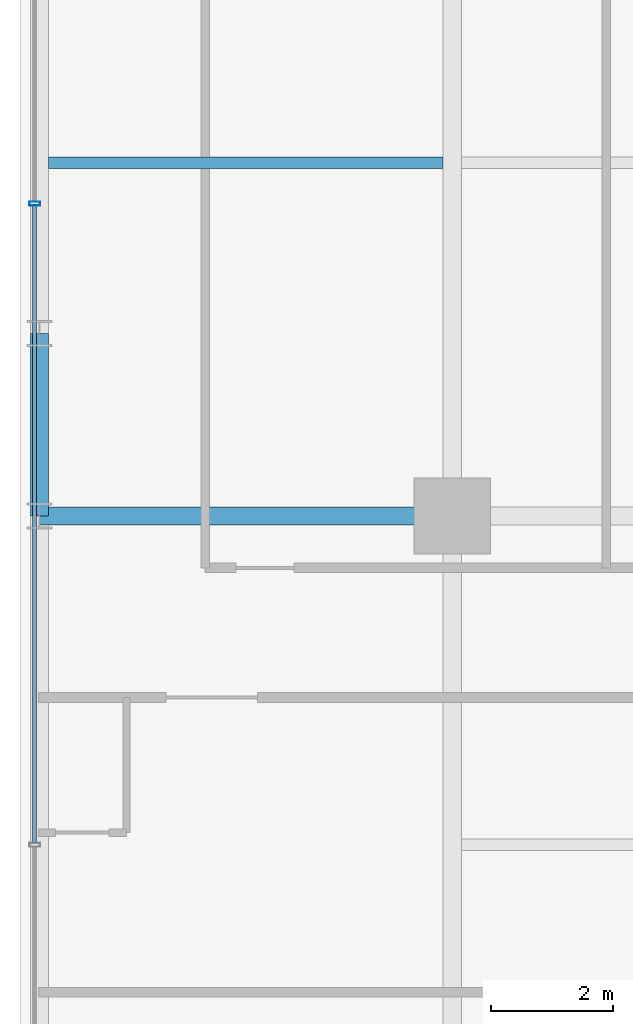
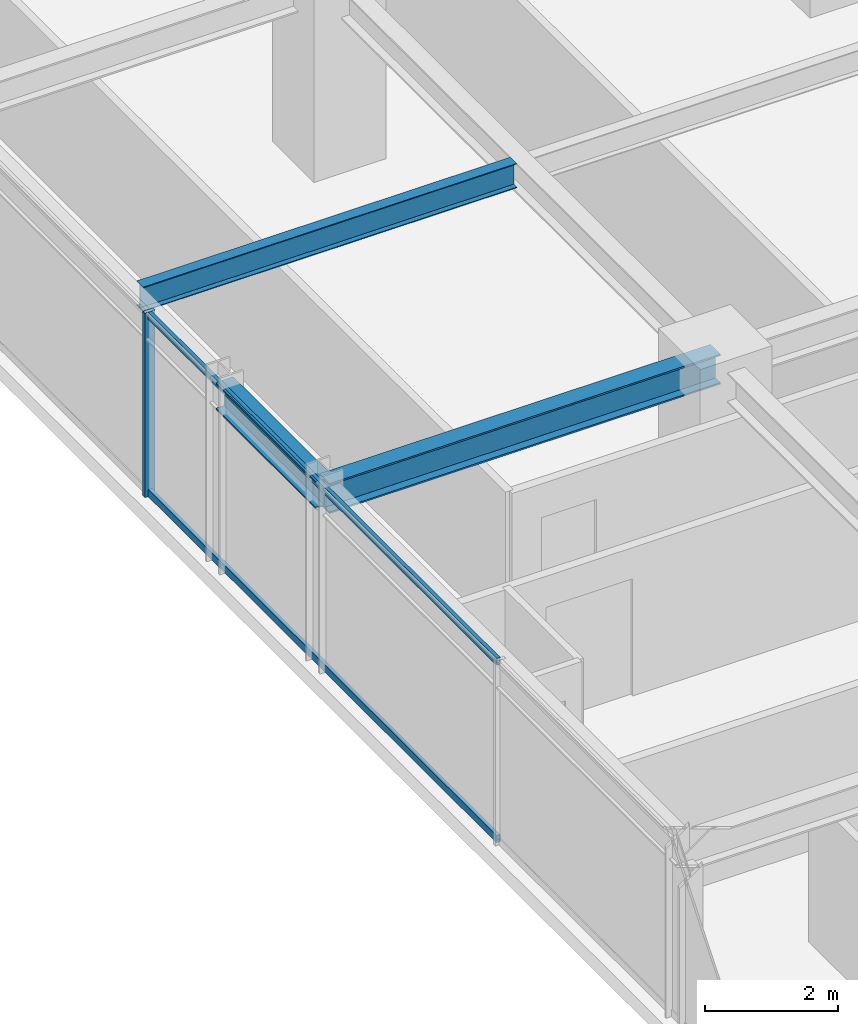
# One storey, part 17 of 33: 3 beams, 3 members, 1 element without a shape of its own.
"""IFC4 building model written with IfcOpenShell, lengths in metres."""

import ifcopenshell
import ifcopenshell.guid

model = None  # the IFC model being written
_history = None  # IfcOwnerHistory: only IFC2X3 demands one
_inside = {}  # id of a spatial element -> (the spatial element, [elements in it])
_under = {}  # id of a project, library or spatial element -> (it, [spatial elements below it])
_declared = {}  # id of a project -> (the project, [libraries it declares])
_typed = {}  # id of a type object -> (the type object, [elements of that type])
_made_of = {}  # id of a material, layer set ... -> (it, [elements and type objects made of it])


def new_model(schema):
    """Start an empty IFC model of exactly this schema.

    Asked for "IFC4X3", IfcOpenShell would pick the latest addendum, in which some entities
    have other attributes; the version numbers below select the first issue.
    IFC2X3 requires an IfcOwnerHistory on every rooted entity: one is made here for all.
    """
    global model, _history
    if schema == "IFC4X3":
        model = ifcopenshell.file(schema_version=(4, 3, 0, 0))
    else:
        model = ifcopenshell.file(schema=schema)
    _inside.clear()
    _under.clear()
    _declared.clear()
    _typed.clear()
    _made_of.clear()
    _history = None
    if model.schema == "IFC2X3":
        org = make("IfcOrganization", Name="unknown")
        user = make(
            "IfcPersonAndOrganization",
            ThePerson=make("IfcPerson", FamilyName="unknown"),
            TheOrganization=org,
        )
        app = make(
            "IfcApplication",
            ApplicationDeveloper=org,
            Version="unknown",
            ApplicationFullName="unknown",
            ApplicationIdentifier="unknown",
        )
        _history = make(
            "IfcOwnerHistory",
            OwningUser=user,
            OwningApplication=app,
            ChangeAction="ADDED",
            CreationDate=0,
        )
    return model


def make(cls, **values):
    """One entity of the class cls with the attributes given. An attribute that is None is left unset."""
    return model.create_entity(
        cls, **{name: value for name, value in values.items() if value is not None}
    )


def rooted(cls, **values):
    """An entity with a GlobalId (a new one), such as an element, a storey or a relation."""
    return make(cls, GlobalId=ifcopenshell.guid.new(), OwnerHistory=_history, **values)


def si_unit(unit_type, name, prefix=None):
    """IfcSIUnit, for example si_unit("LENGTHUNIT", "METRE", prefix="MILLI")."""
    return make("IfcSIUnit", UnitType=unit_type, Prefix=prefix, Name=name)


def assignment(units):
    """IfcUnitAssignment: the units of a project."""
    return None if units is None else make("IfcUnitAssignment", Units=units)


def point(xyz):
    """IfcCartesianPoint."""
    return None if xyz is None else make("IfcCartesianPoint", Coordinates=xyz)


def direction(xyz):
    """IfcDirection."""
    return None if xyz is None else make("IfcDirection", DirectionRatios=xyz)


def frame(location, z_axis=None, x_axis=None):
    """IfcAxis2Placement3D, a coordinate frame: its origin and axes. An axis left out is left unset."""
    return make(
        "IfcAxis2Placement3D",
        Location=point(location),
        Axis=direction(z_axis),
        RefDirection=direction(x_axis),
    )


def frame_2d(location, x_axis=None):
    """IfcAxis2Placement2D, a coordinate frame in the plane: its origin and x axis."""
    return make(
        "IfcAxis2Placement2D", Location=point(location), RefDirection=direction(x_axis)
    )


def origin():
    """The frame at (0, 0, 0) with its axes left unset."""
    return frame((0.0, 0.0, 0.0))


def origin_2d():
    """The frame at (0, 0) in the plane with its x axis left unset."""
    return frame_2d((0.0, 0.0))


def place(relative_to, where):
    """IfcLocalPlacement: puts the frame where relative to a parent placement (None: the world)."""
    return make(
        "IfcLocalPlacement", PlacementRelTo=relative_to, RelativePlacement=where
    )


def context(
    kind, dimensions, precision=None, world=None, true_north=None, identifier=None
):
    """IfcGeometricRepresentationContext, for example the 3D "Model" context."""
    return make(
        "IfcGeometricRepresentationContext",
        ContextIdentifier=identifier,
        ContextType=kind,
        CoordinateSpaceDimension=dimensions,
        Precision=precision,
        WorldCoordinateSystem=world,
        TrueNorth=true_north,
    )


def subcontext(parent, identifier, kind, view, scale=None):
    """IfcGeometricRepresentationSubContext, for example "Body" below "Model"."""
    return make(
        "IfcGeometricRepresentationSubContext",
        ContextIdentifier=identifier,
        ContextType=kind,
        ParentContext=parent,
        TargetScale=scale,
        TargetView=view,
    )


def project(units=None, contexts=None):
    """IfcProject with its units and contexts."""
    return rooted(
        "IfcProject",
        Name="project",
        RepresentationContexts=contexts,
        UnitsInContext=assignment(units),
    )


def spatial(cls, under=None, at=None, **own):
    """A site, building, storey or space (cls), placed at a placement, below another one or the project."""
    s = rooted(cls, ObjectPlacement=at, **own)
    if under is not None:
        _under.setdefault(under.id(), (under, []))[1].append(s)
    return s


def profile(cls, at=None, kind="AREA", **sizes):
    """A parametric profile (cls). Its sizes go by their IFC names, for example OverallWidth=200.0."""
    return make(cls, ProfileType=kind, Position=at, **sizes)


def hollow_rectangle(**sizes):
    """IfcRectangleHollowProfileDef."""
    return profile("IfcRectangleHollowProfileDef", **sizes)


def i_section(**sizes):
    """IfcIShapeProfileDef."""
    return profile("IfcIShapeProfileDef", **sizes)


def extrude(swept, where, along, depth):
    """IfcExtrudedAreaSolid: the profile swept, set in the frame where, extruded along a direction by depth."""
    return make(
        "IfcExtrudedAreaSolid",
        SweptArea=swept,
        Position=where,
        ExtrudedDirection=direction(along),
        Depth=depth,
    )


def shape(context_of_items, identifier, shape_type, items):
    """IfcShapeRepresentation: the items that make up one representation, for example the "Body"."""
    return make(
        "IfcShapeRepresentation",
        ContextOfItems=context_of_items,
        RepresentationIdentifier=identifier,
        RepresentationType=shape_type,
        Items=items,
    )


def source(mapping_origin, context_of_items, identifier, shape_type, items):
    """IfcRepresentationMap: a shape defined once, which mapped items show again and again."""
    return make(
        "IfcRepresentationMap",
        MappingOrigin=mapping_origin,
        MappedRepresentation=shape(context_of_items, identifier, shape_type, items),
    )


def transform(
    local_origin,
    x_axis=None,
    y_axis=None,
    z_axis=None,
    scale=None,
    scale2=None,
    scale3=None,
    uniform=True,
):
    """IfcCartesianTransformationOperator3D, or its non-uniform kind. x_axis, y_axis, z_axis: its Axis1, 2, 3."""
    if uniform:
        return make(
            "IfcCartesianTransformationOperator3D",
            Axis1=direction(x_axis),
            Axis2=direction(y_axis),
            LocalOrigin=point(local_origin),
            Scale=scale,
            Axis3=direction(z_axis),
        )
    return make(
        "IfcCartesianTransformationOperator3DnonUniform",
        Axis1=direction(x_axis),
        Axis2=direction(y_axis),
        LocalOrigin=point(local_origin),
        Scale=scale,
        Axis3=direction(z_axis),
        Scale2=scale2,
        Scale3=scale3,
    )


def mapped(mapping_source, mapping_target):
    """IfcMappedItem: shows the shape of a source again, moved by a transform."""
    return make(
        "IfcMappedItem", MappingSource=mapping_source, MappingTarget=mapping_target
    )


def material(Name=None, Category=None):
    """IfcMaterial."""
    return make("IfcMaterial", Name=Name, Category=Category)


def material_profile(
    of_material, cross_section, Name=None, Category=None, Priority=None
):
    """IfcMaterialProfile: a cross section and its material."""
    return make(
        "IfcMaterialProfile",
        Name=Name,
        Material=of_material,
        Profile=cross_section,
        Priority=Priority,
        Category=Category,
    )


def profile_set(profiles, Name=None, composite=None):
    """IfcMaterialProfileSet."""
    return make(
        "IfcMaterialProfileSet",
        Name=Name,
        MaterialProfiles=profiles,
        CompositeProfile=composite,
    )


def made_of(thing, what):
    """Note that an element or type object is made of a material, layer set ...; save() writes the relation."""
    if what is not None:
        _made_of.setdefault(what.id(), (what, []))[1].append(thing)
    return thing


def type_object(cls, material=None, **own):
    """A type object (cls), such as IfcWallType, which elements share."""
    return made_of(rooted(cls, **own), material)


def element(
    cls,
    number,
    at=None,
    inside=None,
    cuts=None,
    type_object=None,
    material=None,
    context=None,
    identifier="Body",
    shape_type=None,
    held_by="IfcProductDefinitionShape",
    body=None,
    shapes=None,
    **own,
):
    """One element of the class cls, such as IfcWall. Its Tag is "e" and its number.

    at: its placement. inside: the storey or other place that contains it. cuts: it is an
    opening in that element (IfcRelVoidsElement). A single representation is given by context,
    identifier, shape_type and body (its items); several are given by shapes. held_by: the class
    of the entity that holds the representations. save() writes the other relations.
    """
    e = rooted(cls, Tag="e%d" % number, ObjectPlacement=at, **own)
    if body is not None:
        shapes = [shape(context, identifier, shape_type, body)]
    if shapes is not None:
        e.Representation = make(held_by, Representations=shapes)
    if inside is not None:
        _inside.setdefault(inside.id(), (inside, []))[1].append(e)
    if cuts is not None:
        rooted(
            "IfcRelVoidsElement", RelatingBuildingElement=cuts, RelatedOpeningElement=e
        )
    if type_object is not None:
        _typed.setdefault(type_object.id(), (type_object, []))[1].append(e)
    return made_of(e, material)


def aggregate(whole, parts):
    """IfcRelAggregates: a whole, such as a stair, and the parts it consists of."""
    return rooted("IfcRelAggregates", RelatingObject=whole, RelatedObjects=parts)


def save(model, path):
    """Write the relations noted so far, then the file.

    IfcRelAggregates (storeys below a building ...), IfcRelContainedInSpatialStructure (elements
    in a storey), IfcRelDefinesByType, IfcRelAssociatesMaterial and IfcRelDeclares: one each for
    every whole, place, type object, material and project.
    """
    for whole, parts in _under.values():
        aggregate(whole, parts)
    for where, things in _inside.values():
        rooted(
            "IfcRelContainedInSpatialStructure",
            RelatedElements=things,
            RelatingStructure=where,
        )
    for kind, things in _typed.values():
        rooted("IfcRelDefinesByType", RelatedObjects=things, RelatingType=kind)
    for what, things in _made_of.values():
        rooted("IfcRelAssociatesMaterial", RelatedObjects=things, RelatingMaterial=what)
    for by, libraries in _declared.values():
        rooted("IfcRelDeclares", RelatingContext=by, RelatedDefinitions=libraries)
    model.write(path)


model = new_model("IFC4")

# Units and contexts
model_context = context("Model", 3, precision=1e-05, world=origin(), true_north=direction((0.0, 1.0)))
body_context = subcontext(model_context, "Body", "Model", "MODEL_VIEW")
ifc_project = project(units=[si_unit("LENGTHUNIT", "METRE"), si_unit("AREAUNIT", "SQUARE_METRE"), si_unit("VOLUMEUNIT", "CUBIC_METRE"), si_unit("PLANEANGLEUNIT", "RADIAN"), si_unit("MASSUNIT", "GRAM", prefix="KILO")], contexts=[model_context])

# Site, building, storey
site_placement = place(None, origin())
site = spatial("IfcSite", under=ifc_project, at=site_placement, CompositionType="ELEMENT")
building_placement = place(site_placement, origin())
building = spatial("IfcBuilding", under=site, at=building_placement, Name="Nahalor Promenade Grand Hotel", CompositionType="ELEMENT")
storey_placement = place(building_placement, frame((0.0, 0.0, 117.5)))
storey = spatial("IfcBuildingStorey", under=building, at=storey_placement, Name="L29", CompositionType="ELEMENT", Elevation=117.5)

# Beams
ifc_material_1 = material(Name="Steel S355JR", Category="steel")
ifc_material_profile_1 = material_profile(ifc_material_1, i_section(OverallWidth=0.3, OverallDepth=0.5, WebThickness=0.0145, FlangeThickness=0.028, at=origin_2d()), Name="HEB 500")
ifc_profile_set_1 = profile_set([ifc_material_profile_1], Name="Steel S355JR")
beam_type_1 = type_object("IfcBeamType", Name="Beam-Spandrel-HEB500", PredefinedType="SPANDREL", material=ifc_profile_set_1)
shared_shape_1 = source(origin(), body_context, "Body", "SweptSolid", [
    extrude(i_section(OverallWidth=0.3, OverallDepth=0.5, WebThickness=0.0145, FlangeThickness=0.028, at=origin_2d()), origin(), (0.0, 0.0, 1.0), 3.0),
])
beam_1_placement = place(storey_placement, frame((-23.780029296875, 5.39990234375, 3.1298828125), z_axis=(0.0, 1.0, 0.0), x_axis=(-1.0, 0.0, 0.0)))
element("IfcBeam", 1, at=beam_1_placement, inside=storey, type_object=beam_type_1, Name="BM-L29-SP-W-3", PredefinedType="SPANDREL", context=body_context, shape_type="MappedRepresentation", body=[
    mapped(shared_shape_1, transform((0.0, 0.0, 0.0), scale=1.0)),
])
ifc_material_profile_2 = material_profile(ifc_material_1, i_section(OverallWidth=0.3, OverallDepth=0.55, WebThickness=0.015, FlangeThickness=0.029, at=origin_2d()), Name="HEB 550")
ifc_profile_set_2 = profile_set([ifc_material_profile_2], Name="Steel S355JR")
beam_type_2 = type_object("IfcBeamType", Name="Beam-Girder-HEB550", PredefinedType="BEAM", material=ifc_profile_set_2)
shared_shape_2 = source(origin(), body_context, "Body", "SweptSolid", [
    extrude(i_section(OverallWidth=0.3, OverallDepth=0.55, WebThickness=0.015, FlangeThickness=0.029, at=origin_2d()), origin(), (0.0, 0.0, 1.0), 6.780029296875),
])
beam_2_placement = place(storey_placement, frame((-23.780029296875, 5.39990234375, 3.10498046875), z_axis=(1.0, 0.0, 0.0), x_axis=(0.0, 1.0, 0.0)))
element("IfcBeam", 2, at=beam_2_placement, inside=storey, type_object=beam_type_2, Name="BM-L29-GX-2-0", PredefinedType="BEAM", context=body_context, shape_type="MappedRepresentation", body=[
    mapped(shared_shape_2, transform((0.0, 0.0, 0.0), scale=1.0)),
])
ifc_material_profile_3 = material_profile(ifc_material_1, i_section(OverallWidth=0.19, OverallDepth=0.45, WebThickness=0.0094, FlangeThickness=0.0146, at=origin_2d()), Name="IPE 450")
ifc_profile_set_3 = profile_set([ifc_material_profile_3], Name="Steel S355JR")
beam_type_3 = type_object("IfcBeamType", Name="Beam-Joist-IPE450", PredefinedType="JOIST", material=ifc_profile_set_3)
shared_shape_3 = source(origin(), body_context, "Body", "SweptSolid", [
    extrude(i_section(OverallWidth=0.19, OverallDepth=0.45, WebThickness=0.0094, FlangeThickness=0.0146, at=origin_2d()), origin(), (0.0, 0.0, 1.0), 6.47998046875),
])
beam_3_placement = place(storey_placement, frame((-23.6298828125, 11.199951171875, 3.155029296875), z_axis=(1.0, 0.0, 0.0), x_axis=(0.0, 1.0, 0.0)))
element("IfcBeam", 3, at=beam_3_placement, inside=storey, type_object=beam_type_3, Name="BM-L29-JSW-1-0", PredefinedType="JOIST", context=body_context, shape_type="MappedRepresentation", body=[
    mapped(shared_shape_3, transform((0.0, 0.0, 0.0), scale=1.0)),
])

# Curtain wall, members
ifc_material_2 = material(Name="Anodised Bronze Aluminium EN AW-6063 T6", Category="aluminium")
curtain_wall_type = type_object("IfcCurtainWallType", Name="CW2 Typical Hotel Flush Bronze Unitised Curtain Wall", PredefinedType="USERDEFINED", material=ifc_material_2)
curtain_wall_placement = place(storey_placement, origin())
curtain_wall = element("IfcCurtainWall", 4, at=curtain_wall_placement, inside=storey, type_object=curtain_wall_type, Name="L29 Curtain Wall CW-L29-W-1", ObjectType="UNITISED_CURTAIN_WALL", PredefinedType="USERDEFINED")
ifc_material_profile_4 = material_profile(ifc_material_2, hollow_rectangle(XDim=0.065, YDim=0.18, WallThickness=0.004, at=origin_2d()), Name="CWM 65x180x4")
ifc_profile_set_4 = profile_set([ifc_material_profile_4], Name="Anodised Bronze Aluminium EN AW-6063 T6")
member_type_1 = type_object("IfcMemberType", Name="CWM2 Typical Bronze Mullion 65x180", PredefinedType="MULLION", material=ifc_profile_set_4)
shared_shape_4 = source(origin(), body_context, "Body", "SweptSolid", [
    extrude(hollow_rectangle(XDim=0.065, YDim=0.18, WallThickness=0.004, at=origin_2d()), origin(), (0.0, 0.0, 1.0), 3.3798828125),
])
member_1_placement = place(storey_placement, frame((-23.860107421875, 10.530029296875, 0.0), z_axis=(0.0, 0.0, 1.0), x_axis=(0.0, 1.0, 0.0)))
member_1 = element("IfcMember", 5, at=member_1_placement, type_object=member_type_1, Name="CW-L29-W-1 Mullion 3", PredefinedType="MULLION", context=body_context, shape_type="MappedRepresentation", body=[
    mapped(shared_shape_4, transform((0.0, 0.0, 0.0), scale=1.0)),
])
ifc_material_profile_5 = material_profile(ifc_material_2, hollow_rectangle(XDim=0.065, YDim=0.13, WallThickness=0.004, at=origin_2d()), Name="CWT 65x130x4")
ifc_profile_set_5 = profile_set([ifc_material_profile_5], Name="Anodised Bronze Aluminium EN AW-6063 T6")
member_type_2 = type_object("IfcMemberType", Name="CWT2 Typical Bronze Transom 65x130", PredefinedType="USERDEFINED", material=ifc_profile_set_5)
shared_shape_5 = source(origin(), body_context, "Body", "SweptSolid", [
    extrude(hollow_rectangle(XDim=0.065, YDim=0.13, WallThickness=0.004, at=origin_2d()), origin(), (0.0, 0.0, 1.0), 10.465087890625),
])
member_2_placement = place(storey_placement, frame((-23.860107421875, 0.032470703125, 0.06494140625), z_axis=(0.0, 1.0, 0.0), x_axis=(-1.0, 0.0, 0.0)))
member_2 = element("IfcMember", 6, at=member_2_placement, type_object=member_type_2, Name="CW-L29-W-1 Transom 2-0", ObjectType="TRANSOM", PredefinedType="USERDEFINED", context=body_context, shape_type="MappedRepresentation", body=[
    mapped(shared_shape_5, transform((0.0, 0.0, 0.0), scale=1.0)),
])
member_3_placement = place(storey_placement, frame((-23.860107421875, 0.032470703125, 3.31494140625), z_axis=(0.0, 1.0, 0.0), x_axis=(-1.0, 0.0, 0.0)))
member_3 = element("IfcMember", 7, at=member_3_placement, type_object=member_type_2, Name="CW-L29-W-1 Transom 2-1", ObjectType="TRANSOM", PredefinedType="USERDEFINED", context=body_context, shape_type="MappedRepresentation", body=[
    mapped(shared_shape_5, transform((0.0, 0.0, 0.0), scale=1.0)),
])
aggregate(curtain_wall, [member_1, member_2, member_3])

save(model, "model.ifc")
